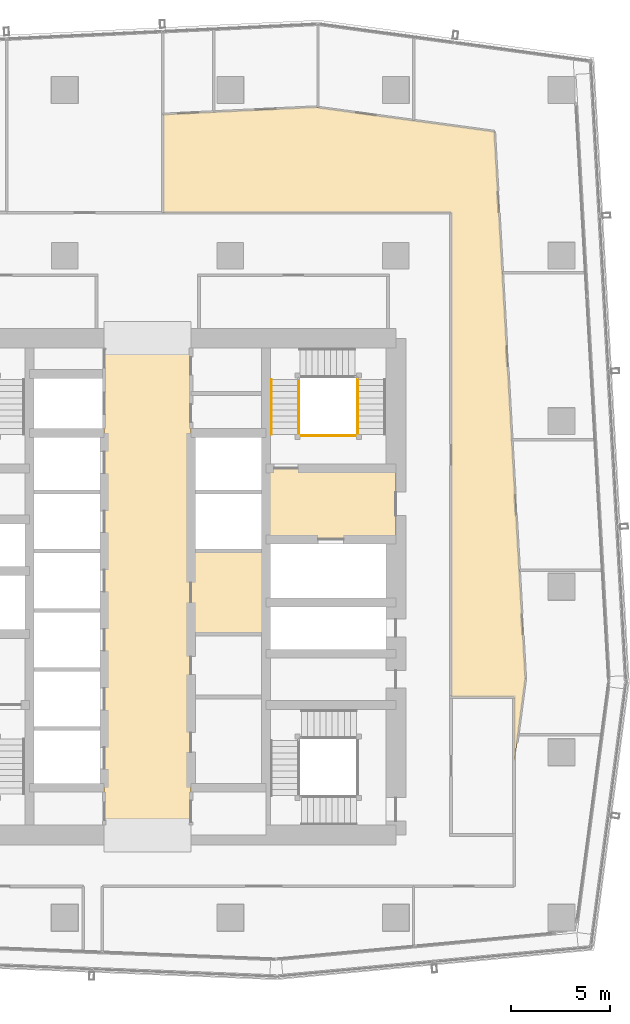
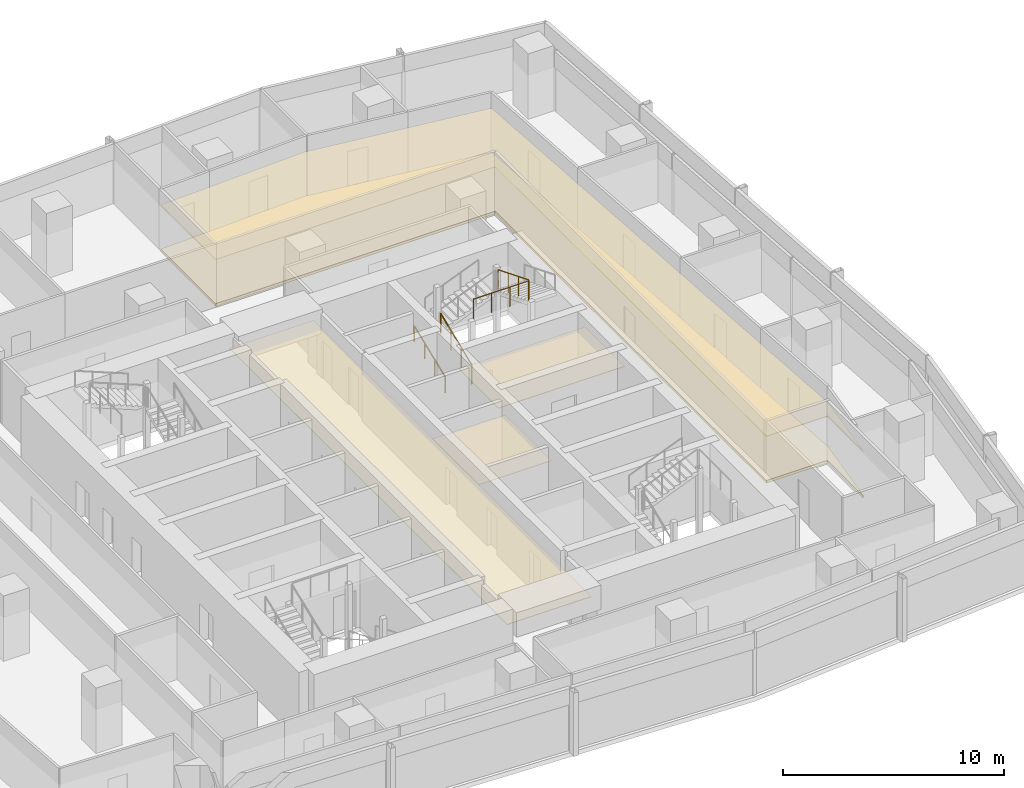
# One storey, part 36 of 38: 5 coverings, 4 railings.
"""IFC4 building model written with IfcOpenShell, lengths in metres."""

from ifc_helpers import new_model, si_unit, direction, frame, origin, origin_2d, place, context, subcontext, project, spatial, polyline, circle, outline, extrude, material, layer, layer_set, type_object, element, save


model = new_model("IFC4")

# Units and contexts
model_context = context("Model", 3, precision=1e-05, world=origin(), true_north=direction((0.0, 1.0)))
body_context = subcontext(model_context, "Body", "Model", "MODEL_VIEW")
ifc_project = project(units=[si_unit("LENGTHUNIT", "METRE"), si_unit("AREAUNIT", "SQUARE_METRE"), si_unit("VOLUMEUNIT", "CUBIC_METRE"), si_unit("PLANEANGLEUNIT", "RADIAN"), si_unit("MASSUNIT", "GRAM", prefix="KILO")], contexts=[model_context])

# Site, building, storey
site_placement = place(None, origin())
site = spatial("IfcSite", under=ifc_project, at=site_placement, CompositionType="ELEMENT")
building_placement = place(site_placement, origin())
building = spatial("IfcBuilding", under=site, at=building_placement, Name="Rekha Terrace Tower", CompositionType="ELEMENT")
storey_placement = place(building_placement, frame((0.0, 0.0, 198.949951171875)))
storey = spatial("IfcBuildingStorey", under=building, at=storey_placement, Name="L50", CompositionType="ELEMENT", Elevation=198.949951171875)

# Coverings
ifc_material_1 = material(Name="Mineral fibre tile in exposed grid", Category="finish")
ifc_layer_1 = layer(ifc_material_1, 0.02001953125)
ifc_layer_set_1 = layer_set([ifc_layer_1], Name="Mineral fibre tile in exposed grid")
covering_type_1 = type_object("IfcCoveringType", Name="CL1 600x1200 office grid ceiling", PredefinedType="CEILING", material=ifc_layer_set_1)
covering_1_placement = place(storey_placement, frame((0.0, 0.0, 2.580078125)))
element("IfcCovering", 1, at=covering_1_placement, inside=storey, type_object=covering_type_1, Name="Ceiling L50-O1", PredefinedType="CEILING", context=body_context, shape_type="SweptSolid", body=[
    extrude(outline(polyline([(46.294921875, 57.93505859375), (41.152099609375, 57.68994140625), (38.570068359375, 57.56591796875), (38.570068359375, 52.574951171875), (53.199951171875, 52.574951171875), (53.199951171875, 28.0), (56.39990234375, 28.0), (56.39990234375, 24.785888671875), (56.419921875, 24.784912109375), (56.592041015625, 26.083984375), (56.969970703125, 28.93798828125), (56.656982421875, 34.448974609375), (56.281982421875, 41.070068359375), (55.801025390625, 49.535888671875), (55.39501953125, 56.697021484375), (51.31201171875, 57.2529296875), (46.444091796875, 57.9150390625), (46.294921875, 57.93505859375)])), origin(), (0.0, 0.0, 1.0), 0.02001953125),
])
ifc_material_2 = material(Name="Fibre cement board", Category="finish")
ifc_layer_2 = layer(ifc_material_2, 0.014892578125)
ifc_layer_set_2 = layer_set([ifc_layer_2], Name="Fibre cement board")
covering_type_2 = type_object("IfcCoveringType", Name="CL2 moisture-resistant board ceiling", PredefinedType="CEILING", material=ifc_layer_set_2)
covering_2_placement = place(storey_placement, frame((0.0, 0.0, 2.5849609375)))
element("IfcCovering", 2, at=covering_2_placement, inside=storey, type_object=covering_type_2, Name="Ceiling L50-FSE3", PredefinedType="CEILING", context=body_context, shape_type="SweptSolid", body=[
    extrude(outline(polyline([(43.800048828125, 35.39990234375), (40.0, 35.39990234375), (40.0, 31.199951171875), (43.800048828125, 31.199951171875), (43.800048828125, 35.39990234375)])), origin(), (0.0, 0.0, 1.0), 0.01513671875),
])
ifc_material_3 = material(Name="Powder-coated aluminium pan", Category="aluminium")
ifc_layer_3 = layer(ifc_material_3, 0.030029296875)
ifc_layer_set_3 = layer_set([ifc_layer_3], Name="Powder-coated aluminium pan")
covering_type_3 = type_object("IfcCoveringType", Name="CL3 300x1200 metal pan ceiling", PredefinedType="CEILING", material=ifc_layer_set_3)
covering_3_placement = place(storey_placement, frame((0.0, 0.0, 2.570068359375)))
element("IfcCovering", 3, at=covering_3_placement, inside=storey, type_object=covering_type_3, Name="Ceiling L50-LOBBY", PredefinedType="CEILING", context=body_context, shape_type="SweptSolid", body=[
    extrude(outline(polyline([(40.0, 46.199951171875), (35.60009765625, 46.199951171875), (35.60009765625, 21.0), (40.0, 21.0), (40.0, 46.199951171875)])), origin(), (0.0, 0.0, 1.0), 0.030029296875),
])
covering_4_placement = place(storey_placement, frame((0.0, 0.0, 2.570068359375)))
element("IfcCovering", 4, at=covering_4_placement, inside=storey, type_object=covering_type_3, Name="Ceiling L50-FLB2", PredefinedType="CEILING", context=body_context, shape_type="SweptSolid", body=[
    extrude(outline(polyline([(50.39990234375, 39.60009765625), (43.800048828125, 39.60009765625), (43.800048828125, 36.0), (50.39990234375, 36.0), (50.39990234375, 39.60009765625)])), origin(), (0.0, 0.0, 1.0), 0.030029296875),
])

# Railings
ifc_material_4 = material(Name="Stainless steel balustrade", Category="steel")
railing_type_1 = type_object("IfcRailingType", Name="GR1 1100 stair guard", PredefinedType="GUARDRAIL", material=ifc_material_4)
railing_1_placement = place(storey_placement, frame((45.465087890625, 41.324951171875, 0.125)))
element("IfcRailing", 5, at=railing_1_placement, inside=storey, type_object=railing_type_1, Name="Guard ST2 L50 flight 1", PredefinedType="GUARDRAIL", context=body_context, shape_type="SweptSolid", body=[
    extrude(circle(Radius=0.02392578125, at=origin_2d()), frame((0.0, 0.0, 1.076171875), z_axis=(0.0, 0.927443287984, 0.373963831907), x_axis=(-1.0, 0.0, 0.0)), (0.0, 0.0, 1.0), 3.00830078125),
    extrude(circle(Radius=0.02099609375, at=origin_2d()), origin(), (0.0, 0.0, 1.0), 1.052001953125),
    extrude(circle(Radius=0.02099609375, at=origin_2d()), frame((0.0, 0.929931640625, 0.375)), (0.0, 0.0, 1.0), 1.052001953125),
    extrude(circle(Radius=0.02099609375, at=origin_2d()), frame((0.0, 1.860107421875, 0.75)), (0.0, 0.0, 1.0), 1.052001953125),
    extrude(circle(Radius=0.02099609375, at=origin_2d()), frame((0.0, 2.7900390625, 1.125)), (0.0, 0.0, 1.0), 1.052001953125),
])
railing_2_placement = place(storey_placement, frame((48.4599609375, 44.114990234375, 2.625)))
element("IfcRailing", 6, at=railing_2_placement, inside=storey, type_object=railing_type_1, Name="Guard ST2 L50 flight 3", PredefinedType="GUARDRAIL", context=body_context, shape_type="SweptSolid", body=[
    extrude(circle(Radius=0.02392578125, at=origin_2d()), frame((0.0, 0.0, 1.076171875), z_axis=(0.0, -0.927443287984, 0.373963831907), x_axis=(1.0, 0.0, 0.0)), (0.0, 0.0, 1.0), 3.00830078125),
    extrude(circle(Radius=0.02099609375, at=origin_2d()), origin(), (0.0, 0.0, 1.0), 1.052001953125),
    extrude(circle(Radius=0.02099609375, at=origin_2d()), frame((0.0, -0.929931640625, 0.375)), (0.0, 0.0, 1.0), 1.052001953125),
    extrude(circle(Radius=0.02099609375, at=origin_2d()), frame((0.0, -1.860107421875, 0.75)), (0.0, 0.0, 1.0), 1.052001953125),
    extrude(circle(Radius=0.02099609375, at=origin_2d()), frame((0.0, -2.7900390625, 1.125)), (0.0, 0.0, 1.0), 1.052001953125),
])
railing_3_placement = place(storey_placement, frame((45.52490234375, 41.264892578125, 3.75)))
element("IfcRailing", 7, at=railing_3_placement, inside=storey, type_object=railing_type_1, Name="Guard ST2 L50 landing 4", PredefinedType="GUARDRAIL", context=body_context, shape_type="SweptSolid", body=[
    extrude(circle(Radius=0.02392578125, at=origin_2d()), frame((0.0, 0.0, 1.076171875), z_axis=(1.0, 0.0, 0.0), x_axis=(0.0, 1.0, 0.0)), (0.0, 0.0, 1.0), 2.875),
    extrude(circle(Radius=0.02099609375, at=origin_2d()), origin(), (0.0, 0.0, 1.0), 1.052001953125),
    extrude(circle(Radius=0.02099609375, at=origin_2d()), frame((0.958251953125, 0.0, 0.0)), (0.0, 0.0, 1.0), 1.052001953125),
    extrude(circle(Radius=0.02099609375, at=origin_2d()), frame((1.916748046875, 0.0, 0.0)), (0.0, 0.0, 1.0), 1.052001953125),
    extrude(circle(Radius=0.02099609375, at=origin_2d()), frame((2.875, 0.0, 0.0)), (0.0, 0.0, 1.0), 1.052001953125),
])
ifc_material_5 = material(Name="Stainless steel tube", Category="steel")
railing_type_2 = type_object("IfcRailingType", Name="HR1 900 stair handrail", PredefinedType="HANDRAIL", material=ifc_material_5)
railing_4_placement = place(storey_placement, frame((44.0849609375, 41.324951171875, 0.125)))
element("IfcRailing", 8, at=railing_4_placement, inside=storey, type_object=railing_type_2, Name="Handrail ST2 L50 flight 1", PredefinedType="HANDRAIL", context=body_context, shape_type="SweptSolid", body=[
    extrude(circle(Radius=0.02392578125, at=origin_2d()), frame((0.0, 0.0, 0.8759765625), z_axis=(0.0, 0.927443287984, 0.373963831907), x_axis=(-1.0, 0.0, 0.0)), (0.0, 0.0, 1.0), 3.00830078125),
    extrude(circle(Radius=0.02099609375, at=origin_2d()), origin(), (0.0, 0.0, 1.0), 0.851806640625),
    extrude(circle(Radius=0.02099609375, at=origin_2d()), frame((0.0, 0.929931640625, 0.375)), (0.0, 0.0, 1.0), 0.851806640625),
    extrude(circle(Radius=0.02099609375, at=origin_2d()), frame((0.0, 1.860107421875, 0.75)), (0.0, 0.0, 1.0), 0.851806640625),
    extrude(circle(Radius=0.02099609375, at=origin_2d()), frame((0.0, 2.7900390625, 1.125)), (0.0, 0.0, 1.0), 0.851806640625),
])

# Covering
ifc_material_6 = material(Name="Calcium sulphate panels on steel pedestals", Category="steel")
ifc_layer_4 = layer(ifc_material_6, 0.14990234375)
ifc_layer_set_4 = layer_set([ifc_layer_4], Name="Calcium sulphate panels on steel pedestals")
covering_type_4 = type_object("IfcCoveringType", Name="RF1 150 raised access floor", PredefinedType="FLOORING", material=ifc_layer_set_4)
covering_5_placement = place(storey_placement, origin())
element("IfcCovering", 9, at=covering_5_placement, inside=storey, type_object=covering_type_4, Name="Raised floor L50-O1", PredefinedType="FLOORING", context=body_context, shape_type="SweptSolid", body=[
    extrude(outline(polyline([(46.294921875, 57.93505859375), (41.152099609375, 57.68994140625), (38.570068359375, 57.56591796875), (38.570068359375, 52.574951171875), (53.199951171875, 52.574951171875), (53.199951171875, 28.0), (56.39990234375, 28.0), (56.39990234375, 24.785888671875), (56.419921875, 24.784912109375), (56.592041015625, 26.083984375), (56.969970703125, 28.93798828125), (56.656982421875, 34.448974609375), (56.281982421875, 41.070068359375), (55.801025390625, 49.535888671875), (55.39501953125, 56.697021484375), (51.31201171875, 57.2529296875), (46.444091796875, 57.9150390625), (46.294921875, 57.93505859375)])), origin(), (0.0, 0.0, 1.0), 0.150146484375),
])

save(model, "model.ifc")
